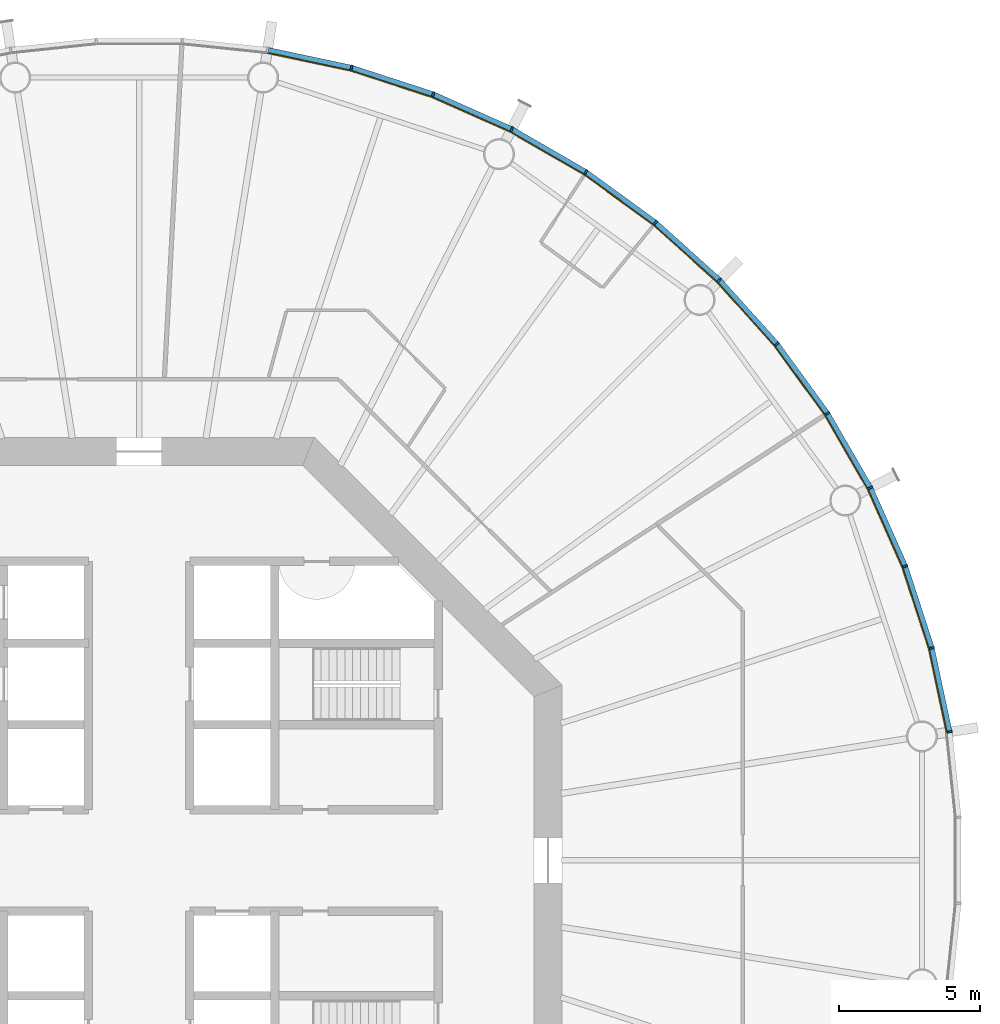
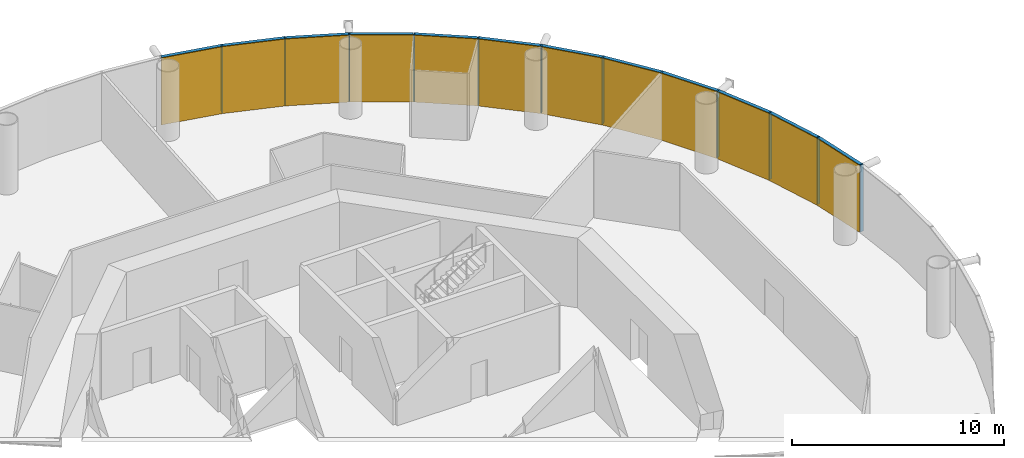
# One storey, part 16 of 17: 24 members, 4 curtain walls.
"""IFC4 building model written with IfcOpenShell, lengths in metres."""

from ifc_helpers import new_model, si_unit, direction, frame, origin, origin_2d, place, context, subcontext, project, spatial, polyline, rectangle, outline, extrude, material, layer, layer_set, material_profile, profile_set, type_object, element, aggregate, save


model = new_model("IFC4")

# Units and contexts
model_context = context("Model", 3, precision=1e-05, world=origin(), true_north=direction((0.0, 1.0)))
body_context = subcontext(model_context, "Body", "Model", "MODEL_VIEW")
ifc_project = project(units=[si_unit("LENGTHUNIT", "METRE"), si_unit("AREAUNIT", "SQUARE_METRE"), si_unit("VOLUMEUNIT", "CUBIC_METRE"), si_unit("PLANEANGLEUNIT", "RADIAN"), si_unit("MASSUNIT", "GRAM", prefix="KILO")], contexts=[model_context])

# Member
ifc_material_1 = material(Name="Anodised aluminium", Category="aluminium")
ifc_material_profile_1 = material_profile(ifc_material_1, rectangle(XDim=0.06494140625, YDim=0.18505859375, at=origin_2d()), Name="Mullion 65 x 185 mm anodised aluminium")
ifc_profile_set_1 = profile_set([ifc_material_profile_1], Name="Anodised aluminium")
member_type_1 = type_object("IfcMemberType", Name="Mullion 65 x 185 mm anodised aluminium", PredefinedType="MULLION", material=ifc_profile_set_1)
site_placement = place(None, origin())
building_placement = place(site_placement, origin())
storey_placement = place(building_placement, frame((0.0, 0.0, 176.0)))
member_1_placement = place(storey_placement, frame((118.734375, 84.551025390625, 0.0), z_axis=(0.0, 0.0, 1.0), x_axis=(-0.15643446504, 0.987688340595, 0.0)))
member_1 = element("IfcMember", 1, at=member_1_placement, type_object=member_type_1, Name="MULLION L40-00", PredefinedType="MULLION", context=body_context, shape_type="SweptSolid", body=[
    extrude(rectangle(XDim=0.06494140625, YDim=0.18505859375, at=origin_2d()), origin(), (0.0, 0.0, 1.0), 3.85009765625),
])

member_2_placement = place(storey_placement, frame((118.101318359375, 87.52978515625, 0.0), z_axis=(0.0, 0.0, 1.0), x_axis=(-0.258819045103, 0.965925826289, 0.0)))
member_2 = element("IfcMember", 2, at=member_2_placement, type_object=member_type_1, Name="MULLION L40-01", PredefinedType="MULLION", context=body_context, shape_type="SweptSolid", body=[
    extrude(rectangle(XDim=0.06494140625, YDim=0.18505859375, at=origin_2d()), origin(), (0.0, 0.0, 1.0), 3.85009765625),
])

member_3_placement = place(storey_placement, frame((117.16015625, 90.42578125, 0.0), z_axis=(0.0, 0.0, 1.0), x_axis=(-0.358367949545, 0.933580426497, 0.0)))
member_3 = element("IfcMember", 3, at=member_3_placement, type_object=member_type_1, Name="MULLION L40-02", PredefinedType="MULLION", context=body_context, shape_type="SweptSolid", body=[
    extrude(rectangle(XDim=0.06494140625, YDim=0.18505859375, at=origin_2d()), origin(), (0.0, 0.0, 1.0), 3.85009765625),
])

member_4_placement = place(storey_placement, frame((115.921630859375, 93.207763671875, 0.0), z_axis=(0.0, 0.0, 1.0), x_axis=(-0.45399049974, 0.891006524188, 0.0)))
member_4 = element("IfcMember", 4, at=member_4_placement, type_object=member_type_1, Name="MULLION L40-03", PredefinedType="MULLION", context=body_context, shape_type="SweptSolid", body=[
    extrude(rectangle(XDim=0.06494140625, YDim=0.18505859375, at=origin_2d()), origin(), (0.0, 0.0, 1.0), 3.85009765625),
])

member_5_placement = place(storey_placement, frame((114.39892578125, 95.844970703125, 0.0), z_axis=(0.0, 0.0, 1.0), x_axis=(-0.544639035015, 0.838670567945, 0.0)))
member_5 = element("IfcMember", 5, at=member_5_placement, type_object=member_type_1, Name="MULLION L40-04", PredefinedType="MULLION", context=body_context, shape_type="SweptSolid", body=[
    extrude(rectangle(XDim=0.06494140625, YDim=0.18505859375, at=origin_2d()), origin(), (0.0, 0.0, 1.0), 3.85009765625),
])

member_6_placement = place(storey_placement, frame((112.609130859375, 98.30859375, 0.0), z_axis=(0.0, 0.0, 1.0), x_axis=(-0.62932039105, 0.777145961457, 0.0)))
member_6 = element("IfcMember", 6, at=member_6_placement, type_object=member_type_1, Name="MULLION L40-05", PredefinedType="MULLION", context=body_context, shape_type="SweptSolid", body=[
    extrude(rectangle(XDim=0.06494140625, YDim=0.18505859375, at=origin_2d()), origin(), (0.0, 0.0, 1.0), 3.85009765625),
])

member_7_placement = place(storey_placement, frame((110.571533203125, 100.571533203125, 0.0), z_axis=(0.0, 0.0, 1.0), x_axis=(-0.707106781187, 0.707106781187, 0.0)))
member_7 = element("IfcMember", 7, at=member_7_placement, type_object=member_type_1, Name="MULLION L40-06", PredefinedType="MULLION", context=body_context, shape_type="SweptSolid", body=[
    extrude(rectangle(XDim=0.06494140625, YDim=0.18505859375, at=origin_2d()), origin(), (0.0, 0.0, 1.0), 3.85009765625),
])

member_8_placement = place(storey_placement, frame((108.30859375, 102.609130859375, 0.0), z_axis=(0.0, 0.0, 1.0), x_axis=(-0.777145961457, 0.62932039105, 0.0)))
member_8 = element("IfcMember", 8, at=member_8_placement, type_object=member_type_1, Name="MULLION L40-07", PredefinedType="MULLION", context=body_context, shape_type="SweptSolid", body=[
    extrude(rectangle(XDim=0.06494140625, YDim=0.18505859375, at=origin_2d()), origin(), (0.0, 0.0, 1.0), 3.85009765625),
])

member_9_placement = place(storey_placement, frame((105.844970703125, 104.39892578125, 0.0), z_axis=(0.0, 0.0, 1.0), x_axis=(-0.838670567945, 0.544639035015, 0.0)))
member_9 = element("IfcMember", 9, at=member_9_placement, type_object=member_type_1, Name="MULLION L40-08", PredefinedType="MULLION", context=body_context, shape_type="SweptSolid", body=[
    extrude(rectangle(XDim=0.06494140625, YDim=0.18505859375, at=origin_2d()), origin(), (0.0, 0.0, 1.0), 3.85009765625),
])

member_10_placement = place(storey_placement, frame((103.207763671875, 105.921630859375, 0.0), z_axis=(0.0, 0.0, 1.0), x_axis=(-0.891006524188, 0.45399049974, 0.0)))
member_10 = element("IfcMember", 10, at=member_10_placement, type_object=member_type_1, Name="MULLION L40-09", PredefinedType="MULLION", context=body_context, shape_type="SweptSolid", body=[
    extrude(rectangle(XDim=0.06494140625, YDim=0.18505859375, at=origin_2d()), origin(), (0.0, 0.0, 1.0), 3.85009765625),
])

member_11_placement = place(storey_placement, frame((100.42578125, 107.16015625, 0.0), z_axis=(0.0, 0.0, 1.0), x_axis=(-0.933580426497, 0.358367949545, 0.0)))
member_11 = element("IfcMember", 11, at=member_11_placement, type_object=member_type_1, Name="MULLION L40-10", PredefinedType="MULLION", context=body_context, shape_type="SweptSolid", body=[
    extrude(rectangle(XDim=0.06494140625, YDim=0.18505859375, at=origin_2d()), origin(), (0.0, 0.0, 1.0), 3.85009765625),
])

member_12_placement = place(storey_placement, frame((97.52978515625, 108.101318359375, 0.0), z_axis=(0.0, 0.0, 1.0), x_axis=(-0.965925826289, 0.258819045103, 0.0)))
member_12 = element("IfcMember", 12, at=member_12_placement, type_object=member_type_1, Name="MULLION L40-11", PredefinedType="MULLION", context=body_context, shape_type="SweptSolid", body=[
    extrude(rectangle(XDim=0.06494140625, YDim=0.18505859375, at=origin_2d()), origin(), (0.0, 0.0, 1.0), 3.85009765625),
])

ifc_material_2 = material(Name="Anodised aluminium", Category="aluminium")
ifc_material_profile_2 = material_profile(ifc_material_2, rectangle(XDim=0.18505859375, YDim=0.175048828125, at=origin_2d()), Name="Transom 175 x 185 mm anodised aluminium")
ifc_profile_set_2 = profile_set([ifc_material_profile_2], Name="Anodised aluminium")
member_type_2 = type_object("IfcMemberType", Name="Transom 175 x 185 mm anodised aluminium", PredefinedType="USERDEFINED", material=ifc_profile_set_2)
member_13_placement = place(storey_placement, frame((118.7265625, 84.587646484375, 3.762451171875), z_axis=(-0.207861704825, 0.97815822425, 0.0), x_axis=(-0.97815822425, -0.207861704825, 0.0)))
member_13 = element("IfcMember", 13, at=member_13_placement, type_object=member_type_2, Name="TRANSOM L40-00", ObjectType="TRANSOM", PredefinedType="USERDEFINED", context=body_context, shape_type="SweptSolid", body=[
    extrude(rectangle(XDim=0.18505859375, YDim=0.175048828125, at=origin_2d()), origin(), (0.0, 0.0, 1.0), 2.970458984375),
])

member_14_placement = place(storey_placement, frame((118.08984375, 87.565185546875, 3.762451171875), z_axis=(-0.30901917063, 0.951055809184, 0.0), x_axis=(-0.951055809184, -0.30901917063, 0.0)))
member_14 = element("IfcMember", 14, at=member_14_placement, type_object=member_type_2, Name="TRANSOM L40-01", ObjectType="TRANSOM", PredefinedType="USERDEFINED", context=body_context, shape_type="SweptSolid", body=[
    extrude(rectangle(XDim=0.18505859375, YDim=0.175048828125, at=origin_2d()), origin(), (0.0, 0.0, 1.0), 2.970703125),
])

member_15_placement = place(storey_placement, frame((117.14501953125, 90.4599609375, 3.762451171875), z_axis=(-0.406687471156, 0.913567348806, 0.0), x_axis=(-0.913567348806, -0.406687471156, 0.0)))
member_15 = element("IfcMember", 15, at=member_15_placement, type_object=member_type_2, Name="TRANSOM L40-02", ObjectType="TRANSOM", PredefinedType="USERDEFINED", context=body_context, shape_type="SweptSolid", body=[
    extrude(rectangle(XDim=0.18505859375, YDim=0.175048828125, at=origin_2d()), origin(), (0.0, 0.0, 1.0), 2.970458984375),
])

member_16_placement = place(storey_placement, frame((115.903076171875, 93.240234375, 3.762451171875), z_axis=(-0.500028367561, 0.866009025146, 0.0), x_axis=(-0.866009025146, -0.500028367561, 0.0)))
member_16 = element("IfcMember", 16, at=member_16_placement, type_object=member_type_2, Name="TRANSOM L40-03", ObjectType="TRANSOM", PredefinedType="USERDEFINED", context=body_context, shape_type="SweptSolid", body=[
    extrude(rectangle(XDim=0.18505859375, YDim=0.175048828125, at=origin_2d()), origin(), (0.0, 0.0, 1.0), 2.970458984375),
])

member_17_placement = place(storey_placement, frame((114.377197265625, 95.875244140625, 3.762451171875), z_axis=(-0.587819781808, 0.808991906087, 0.0), x_axis=(-0.808991906087, -0.587819781808, 0.0)))
member_17 = element("IfcMember", 17, at=member_17_placement, type_object=member_type_2, Name="TRANSOM L40-04", ObjectType="TRANSOM", PredefinedType="USERDEFINED", context=body_context, shape_type="SweptSolid", body=[
    extrude(rectangle(XDim=0.18505859375, YDim=0.175048828125, at=origin_2d()), origin(), (0.0, 0.0, 1.0), 2.970458984375),
])

member_18_placement = place(storey_placement, frame((112.584228515625, 98.33642578125, 3.762451171875), z_axis=(-0.669110027395, 0.743163354343, 0.0), x_axis=(-0.743163354343, -0.669110027395, 0.0)))
member_18 = element("IfcMember", 18, at=member_18_placement, type_object=member_type_2, Name="TRANSOM L40-05", ObjectType="TRANSOM", PredefinedType="USERDEFINED", context=body_context, shape_type="SweptSolid", body=[
    extrude(rectangle(XDim=0.18505859375, YDim=0.175048828125, at=origin_2d()), origin(), (0.0, 0.0, 1.0), 2.970458984375),
])

member_19_placement = place(storey_placement, frame((110.5439453125, 100.5966796875, 3.762451171875), z_axis=(-0.743163354343, 0.669110027395, 0.0), x_axis=(-0.669110027395, -0.743163354343, 0.0)))
member_19 = element("IfcMember", 19, at=member_19_placement, type_object=member_type_2, Name="TRANSOM L40-06", ObjectType="TRANSOM", PredefinedType="USERDEFINED", context=body_context, shape_type="SweptSolid", body=[
    extrude(rectangle(XDim=0.18505859375, YDim=0.175048828125, at=origin_2d()), origin(), (0.0, 0.0, 1.0), 2.970458984375),
])

member_20_placement = place(storey_placement, frame((108.2783203125, 102.631103515625, 3.762451171875), z_axis=(-0.808991906087, 0.587819781808, 0.0), x_axis=(-0.587819781808, -0.808991906087, 0.0)))
member_20 = element("IfcMember", 20, at=member_20_placement, type_object=member_type_2, Name="TRANSOM L40-07", ObjectType="TRANSOM", PredefinedType="USERDEFINED", context=body_context, shape_type="SweptSolid", body=[
    extrude(rectangle(XDim=0.18505859375, YDim=0.175048828125, at=origin_2d()), origin(), (0.0, 0.0, 1.0), 2.970458984375),
])

member_21_placement = place(storey_placement, frame((105.812744140625, 104.417724609375, 3.762451171875), z_axis=(-0.866009025146, 0.500028367561, 0.0), x_axis=(-0.500028367561, -0.866009025146, 0.0)))
member_21 = element("IfcMember", 21, at=member_21_placement, type_object=member_type_2, Name="TRANSOM L40-08", ObjectType="TRANSOM", PredefinedType="USERDEFINED", context=body_context, shape_type="SweptSolid", body=[
    extrude(rectangle(XDim=0.18505859375, YDim=0.175048828125, at=origin_2d()), origin(), (0.0, 0.0, 1.0), 2.970458984375),
])

member_22_placement = place(storey_placement, frame((103.173583984375, 105.93701171875, 3.762451171875), z_axis=(-0.913567348806, 0.406687471156, 0.0), x_axis=(-0.406687471156, -0.913567348806, 0.0)))
member_22 = element("IfcMember", 22, at=member_22_placement, type_object=member_type_2, Name="TRANSOM L40-09", ObjectType="TRANSOM", PredefinedType="USERDEFINED", context=body_context, shape_type="SweptSolid", body=[
    extrude(rectangle(XDim=0.18505859375, YDim=0.175048828125, at=origin_2d()), origin(), (0.0, 0.0, 1.0), 2.970458984375),
])

member_23_placement = place(storey_placement, frame((100.390380859375, 107.171875, 3.762451171875), z_axis=(-0.951055809184, 0.30901917063, 0.0), x_axis=(-0.30901917063, -0.951055809184, 0.0)))
member_23 = element("IfcMember", 23, at=member_23_placement, type_object=member_type_2, Name="TRANSOM L40-10", ObjectType="TRANSOM", PredefinedType="USERDEFINED", context=body_context, shape_type="SweptSolid", body=[
    extrude(rectangle(XDim=0.18505859375, YDim=0.175048828125, at=origin_2d()), origin(), (0.0, 0.0, 1.0), 2.970703125),
])

member_24_placement = place(storey_placement, frame((97.4931640625, 108.109130859375, 3.762451171875), z_axis=(-0.97815822425, 0.207861704825, 0.0), x_axis=(-0.207861704825, -0.97815822425, 0.0)))
member_24 = element("IfcMember", 24, at=member_24_placement, type_object=member_type_2, Name="TRANSOM L40-11", ObjectType="TRANSOM", PredefinedType="USERDEFINED", context=body_context, shape_type="SweptSolid", body=[
    extrude(rectangle(XDim=0.18505859375, YDim=0.175048828125, at=origin_2d()), origin(), (0.0, 0.0, 1.0), 2.970458984375),
])

# Site, building, storey
site = spatial("IfcSite", under=ifc_project, at=site_placement, CompositionType="ELEMENT")
building = spatial("IfcBuilding", under=site, at=building_placement, Name="Entoto Ring Tower", CompositionType="ELEMENT")
storey = spatial("IfcBuildingStorey", under=building, at=storey_placement, Name="L40", CompositionType="ELEMENT", Elevation=176.0)

# Curtain wall
ifc_material_3 = material(Name="Clear low-iron glass", Category="glass")
ifc_layer = layer(ifc_material_3, 0.033935546875)
ifc_layer_set = layer_set([ifc_layer], Name="Clear low-iron glass")
curtain_wall_type = type_object("IfcCurtainWallType", Name="Curtain wall system CW3 glazing 34 mm", PredefinedType="NOTDEFINED", material=ifc_layer_set)
curtain_wall_1_placement = place(storey_placement, origin())
curtain_wall_1 = element("IfcCurtainWall", 25, at=curtain_wall_1_placement, inside=storey, type_object=curtain_wall_type, Name="CW3 L40-01", PredefinedType="NOTDEFINED", context=body_context, shape_type="SweptSolid", body=[
    extrude(outline(polyline([(118.64306640625, 84.53662109375), (118.011962890625, 87.505859375), (117.07373046875, 90.392578125), (115.839111328125, 93.165771484375), (115.808837890625, 93.150146484375), (117.0419921875, 90.38037109375), (117.97900390625, 87.496826171875), (118.609375, 84.53125), (118.64306640625, 84.53662109375)])), origin(), (0.0, 0.0, 1.0), 3.85009765625),
])

aggregate(curtain_wall_1, [member_1, member_2, member_3, member_13, member_14, member_15])

curtain_wall_2_placement = place(storey_placement, origin())
curtain_wall_2 = element("IfcCurtainWall", 26, at=curtain_wall_2_placement, inside=storey, type_object=curtain_wall_type, Name="CW3 L40-02", PredefinedType="NOTDEFINED", context=body_context, shape_type="SweptSolid", body=[
    extrude(outline(polyline([(115.839111328125, 93.165771484375), (114.321533203125, 95.79443359375), (112.537353515625, 98.250244140625), (110.506103515625, 100.506103515625), (110.48193359375, 100.48193359375), (112.5107421875, 98.228759765625), (114.29296875, 95.77587890625), (115.808837890625, 93.150146484375), (115.839111328125, 93.165771484375)])), origin(), (0.0, 0.0, 1.0), 3.85009765625),
])

aggregate(curtain_wall_2, [member_4, member_5, member_6, member_16, member_17, member_18])

curtain_wall_3_placement = place(storey_placement, origin())
curtain_wall_3 = element("IfcCurtainWall", 27, at=curtain_wall_3_placement, inside=storey, type_object=curtain_wall_type, Name="CW3 L40-03", PredefinedType="NOTDEFINED", context=body_context, shape_type="SweptSolid", body=[
    extrude(outline(polyline([(110.506103515625, 100.506103515625), (108.250244140625, 102.537353515625), (105.79443359375, 104.321533203125), (103.165771484375, 105.839111328125), (103.150146484375, 105.808837890625), (105.77587890625, 104.29296875), (108.228759765625, 102.5107421875), (110.48193359375, 100.48193359375), (110.506103515625, 100.506103515625)])), origin(), (0.0, 0.0, 1.0), 3.85009765625),
])

aggregate(curtain_wall_3, [member_7, member_8, member_9, member_19, member_20, member_21])

curtain_wall_4_placement = place(storey_placement, origin())
curtain_wall_4 = element("IfcCurtainWall", 28, at=curtain_wall_4_placement, inside=storey, type_object=curtain_wall_type, Name="CW3 L40-04", PredefinedType="NOTDEFINED", context=body_context, shape_type="SweptSolid", body=[
    extrude(outline(polyline([(103.165771484375, 105.839111328125), (100.392578125, 107.07373046875), (97.505859375, 108.011962890625), (94.53662109375, 108.64306640625), (94.53125, 108.609375), (97.496826171875, 107.97900390625), (100.38037109375, 107.0419921875), (103.150146484375, 105.808837890625), (103.165771484375, 105.839111328125)])), origin(), (0.0, 0.0, 1.0), 3.85009765625),
])

aggregate(curtain_wall_4, [member_10, member_11, member_12, member_22, member_23, member_24])

save(model, "model.ifc")
